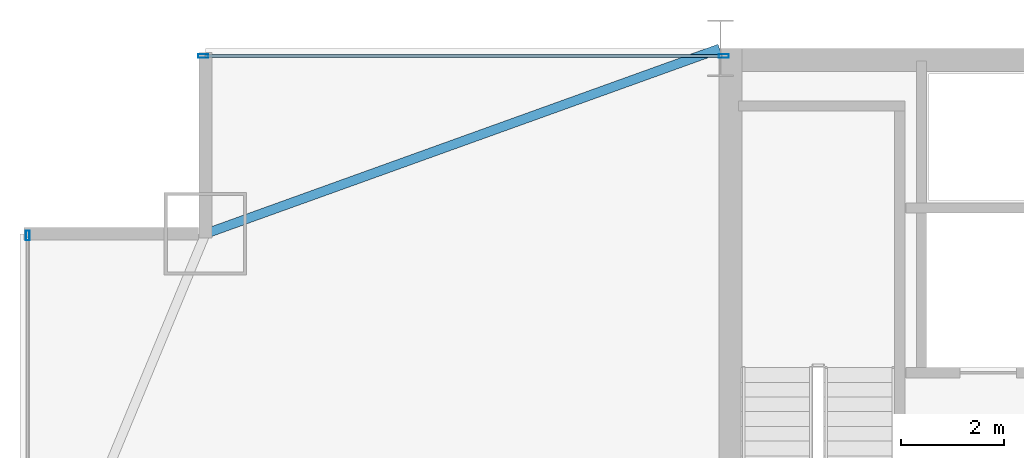
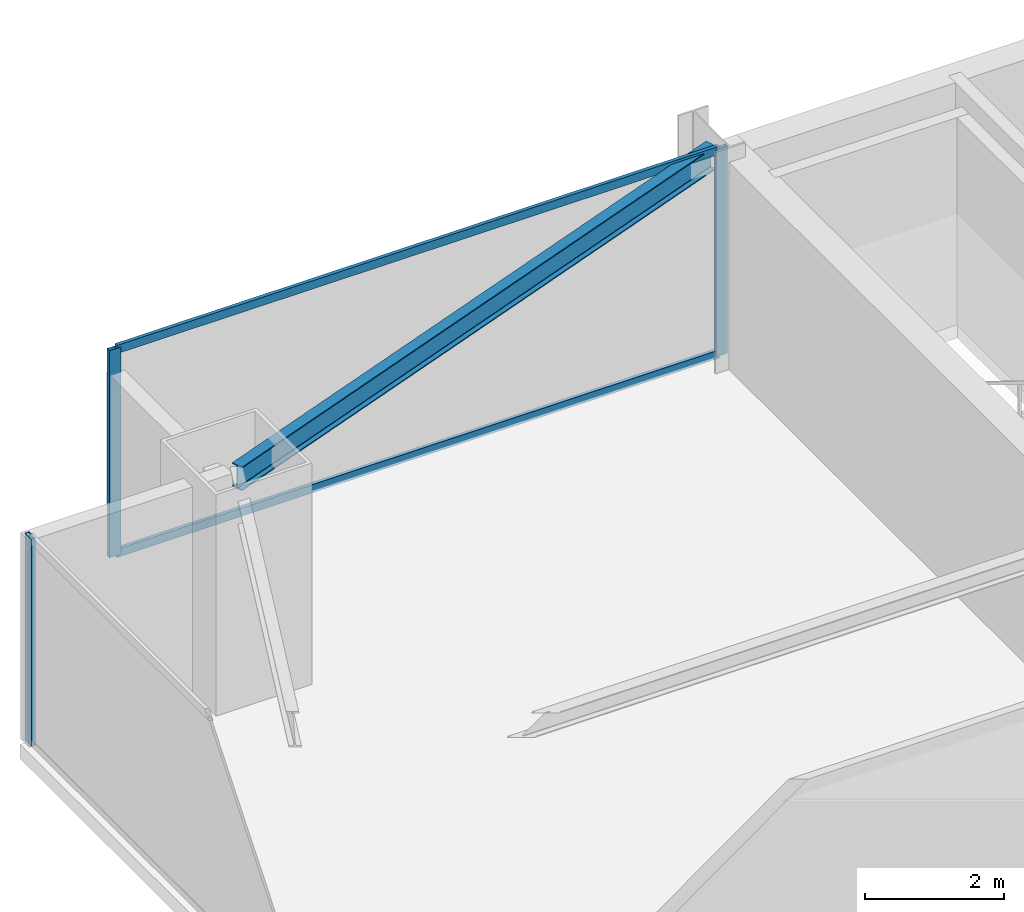
# One storey, part 20 of 31: 5 members, 1 beam, 2 elements without a shape of their own.
"""IFC4 building model written with IfcOpenShell, lengths in metres."""

from ifc_helpers import new_model, si_unit, direction, frame, origin, origin_2d, place, context, subcontext, project, spatial, hollow_rectangle, i_section, extrude, source, transform, mapped, material, layer, layer_set, material_profile, profile_set, type_object, type_shapes, element, aggregate, save


model = new_model("IFC4")

# Units and contexts
model_context = context("Model", 3, precision=1e-05, world=origin(), true_north=direction((0.0, 1.0)))
body_context = subcontext(model_context, "Body", "Model", "MODEL_VIEW")
ifc_project = project(units=[si_unit("LENGTHUNIT", "METRE"), si_unit("AREAUNIT", "SQUARE_METRE"), si_unit("VOLUMEUNIT", "CUBIC_METRE"), si_unit("PLANEANGLEUNIT", "RADIAN"), si_unit("MASSUNIT", "GRAM", prefix="KILO")], contexts=[model_context])

# Site, building, storey
site_placement = place(None, origin())
site = spatial("IfcSite", under=ifc_project, at=site_placement, CompositionType="ELEMENT")
building_placement = place(site_placement, origin())
building = spatial("IfcBuilding", under=site, at=building_placement, Name="Varnel Quay Broadcast Tower", CompositionType="ELEMENT")
storey_placement = place(building_placement, frame((0.0, 0.0, 51.0)))
storey = spatial("IfcBuildingStorey", under=building, at=storey_placement, Name="L11", CompositionType="ELEMENT", Elevation=51.0)

# Beam
ifc_material_1 = material(Name="Structural Steel CSA G40.21 350W", Category="steel")
ifc_material_profile_1 = material_profile(ifc_material_1, i_section(OverallWidth=0.180908203125, OverallDepth=0.4169921875, WebThickness=0.010986328125, FlangeThickness=0.018310546875, FilletRadius=0.011962890625, at=origin_2d()), Name="W410X85")
ifc_profile_set_1 = profile_set([ifc_material_profile_1], Name="Structural Steel CSA G40.21 350W")
beam_type = type_object("IfcBeamType", Name="Beam_W410X85", PredefinedType="SPANDREL", material=ifc_profile_set_1)
shared_shape_1 = source(origin(), body_context, "Body", "SweptSolid", [
    extrude(i_section(OverallWidth=0.180908203125, OverallDepth=0.4169921875, WebThickness=0.010986328125, FlangeThickness=0.018310546875, FilletRadius=0.011962890625, at=origin_2d()), origin(), (0.0, 0.0, 1.0), 10.58837890625),
])
type_shapes(beam_type, [shared_shape_1])
beam_placement = place(storey_placement, frame((5.618896484375, 43.206787109375, 3.44140625), z_axis=(0.940888587605, 0.338716202321, 0.0), x_axis=(-0.338716202321, 0.940888587605, 0.0)))
element("IfcBeam", 1, at=beam_placement, inside=storey, type_object=beam_type, Name="L11 NW Tie Spandrel", PredefinedType="SPANDREL", context=body_context, shape_type="MappedRepresentation", body=[
    mapped(shared_shape_1, transform((0.0, 0.0, 0.0), x_axis=(1.0, 0.0, 0.0), y_axis=(0.0, 1.0, 0.0), z_axis=(0.0, 0.0, 1.0), scale=1.0)),
])

# Curtain wall, member
ifc_material_2 = material(Name="Anodised Bronze Aluminium 6063-T6", Category="aluminium")
ifc_layer = layer(ifc_material_2, 0.18994140625, Name="Anodised Bronze Aluminium 6063-T6")
ifc_layer_set = layer_set([ifc_layer], Name="Anodised Bronze Aluminium 6063-T6")
curtain_wall_type = type_object("IfcCurtainWallType", Name="CW_LowerTower", PredefinedType="NOTDEFINED", material=ifc_layer_set)
curtain_wall_1_placement = place(storey_placement, origin())
curtain_wall_1 = element("IfcCurtainWall", 2, at=curtain_wall_1_placement, inside=storey, type_object=curtain_wall_type, Name="L11 West Unitised Curtain Wall", PredefinedType="NOTDEFINED")
ifc_material_profile_2 = material_profile(ifc_material_2, hollow_rectangle(XDim=0.070068359375, YDim=0.18994140625, WallThickness=0.00390625, at=origin_2d()), Name="ALU70X190X4")
ifc_profile_set_2 = profile_set([ifc_material_profile_2], Name="Anodised Bronze Aluminium 6063-T6")
member_type_1 = type_object("IfcMemberType", Name="Mull_CWS-02", PredefinedType="MULLION", material=ifc_profile_set_2)
shared_shape_2 = source(origin(), body_context, "Body", "SweptSolid", [
    extrude(hollow_rectangle(XDim=0.070068359375, YDim=0.18994140625, WallThickness=0.00390625, at=origin_2d()), origin(), (0.0, 0.0, 1.0), 3.64990234375),
])
type_shapes(member_type_1, [shared_shape_2])
member_1_placement = place(storey_placement, frame((2.14990234375, 43.1650390625, 0.0), z_axis=(0.0, 0.0, 1.0), x_axis=(-1.0, 0.0, 0.0)))
member_1 = element("IfcMember", 3, at=member_1_placement, type_object=member_type_1, Name="CWS-02 mullion 4", PredefinedType="MULLION", context=body_context, shape_type="MappedRepresentation", body=[
    mapped(shared_shape_2, transform((0.0, 0.0, 0.0), x_axis=(1.0, 0.0, 0.0), y_axis=(0.0, 1.0, 0.0), z_axis=(0.0, 0.0, 1.0), scale=1.0)),
])
aggregate(curtain_wall_1, [member_1])

# Curtain wall, members
curtain_wall_2_placement = place(storey_placement, origin())
curtain_wall_2 = element("IfcCurtainWall", 4, at=curtain_wall_2_placement, inside=storey, type_object=curtain_wall_type, Name="L11 NW Wing Curtain Wall", PredefinedType="NOTDEFINED")
member_2_placement = place(storey_placement, frame((5.554931640625, 46.64990234375, 0.0), z_axis=(0.0, 0.0, 1.0), x_axis=(0.0, 1.0, 0.0)))
member_2 = element("IfcMember", 5, at=member_2_placement, type_object=member_type_1, Name="CWS-02 mullion 1", PredefinedType="MULLION", context=body_context, shape_type="MappedRepresentation", body=[
    mapped(shared_shape_2, transform((0.0, 0.0, 0.0), x_axis=(1.0, 0.0, 0.0), y_axis=(0.0, 1.0, 0.0), z_axis=(0.0, 0.0, 1.0), scale=1.0)),
])
member_3_placement = place(storey_placement, frame((15.6650390625, 46.64990234375, 0.0), z_axis=(0.0, 0.0, 1.0), x_axis=(0.0, 1.0, 0.0)))
member_3 = element("IfcMember", 6, at=member_3_placement, type_object=member_type_1, Name="CWS-02 mullion 2", PredefinedType="MULLION", context=body_context, shape_type="MappedRepresentation", body=[
    mapped(shared_shape_2, transform((0.0, 0.0, 0.0), x_axis=(1.0, 0.0, 0.0), y_axis=(0.0, 1.0, 0.0), z_axis=(0.0, 0.0, 1.0), scale=1.0)),
])
ifc_material_profile_3 = material_profile(ifc_material_2, hollow_rectangle(XDim=0.06005859375, YDim=0.14501953125, WallThickness=0.00341796875, at=origin_2d()), Name="ALU60X145X3.5")
ifc_profile_set_3 = profile_set([ifc_material_profile_3], Name="Anodised Bronze Aluminium 6063-T6")
member_type_2 = type_object("IfcMemberType", Name="Tran_CWS-02", PredefinedType="USERDEFINED", material=ifc_profile_set_3)
shared_shape_3 = source(origin(), body_context, "Body", "SweptSolid", [
    extrude(hollow_rectangle(XDim=0.06005859375, YDim=0.14501953125, WallThickness=0.00341796875, at=origin_2d()), origin(), (0.0, 0.0, 1.0), 10.039794921875),
])
type_shapes(member_type_2, [shared_shape_3])
member_4_placement = place(storey_placement, frame((5.590087890625, 46.64990234375, 0.030029296875), z_axis=(1.0, 0.0, 0.0), x_axis=(0.0, 1.0, 0.0)))
member_4 = element("IfcMember", 7, at=member_4_placement, type_object=member_type_2, Name="CWS-02 transom 1.1", ObjectType="TRANSOM", PredefinedType="USERDEFINED", context=body_context, shape_type="MappedRepresentation", body=[
    mapped(shared_shape_3, transform((0.0, 0.0, 0.0), x_axis=(1.0, 0.0, 0.0), y_axis=(0.0, 1.0, 0.0), z_axis=(0.0, 0.0, 1.0), scale=1.0)),
])
member_5_placement = place(storey_placement, frame((5.590087890625, 46.64990234375, 3.6201171875), z_axis=(1.0, 0.0, 0.0), x_axis=(0.0, 1.0, 0.0)))
member_5 = element("IfcMember", 8, at=member_5_placement, type_object=member_type_2, Name="CWS-02 transom 1.2", ObjectType="TRANSOM", PredefinedType="USERDEFINED", context=body_context, shape_type="MappedRepresentation", body=[
    mapped(shared_shape_3, transform((0.0, 0.0, 0.0), x_axis=(1.0, 0.0, 0.0), y_axis=(0.0, 1.0, 0.0), z_axis=(0.0, 0.0, 1.0), scale=1.0)),
])
aggregate(curtain_wall_2, [member_2, member_3, member_4, member_5])

save(model, "model.ifc")
